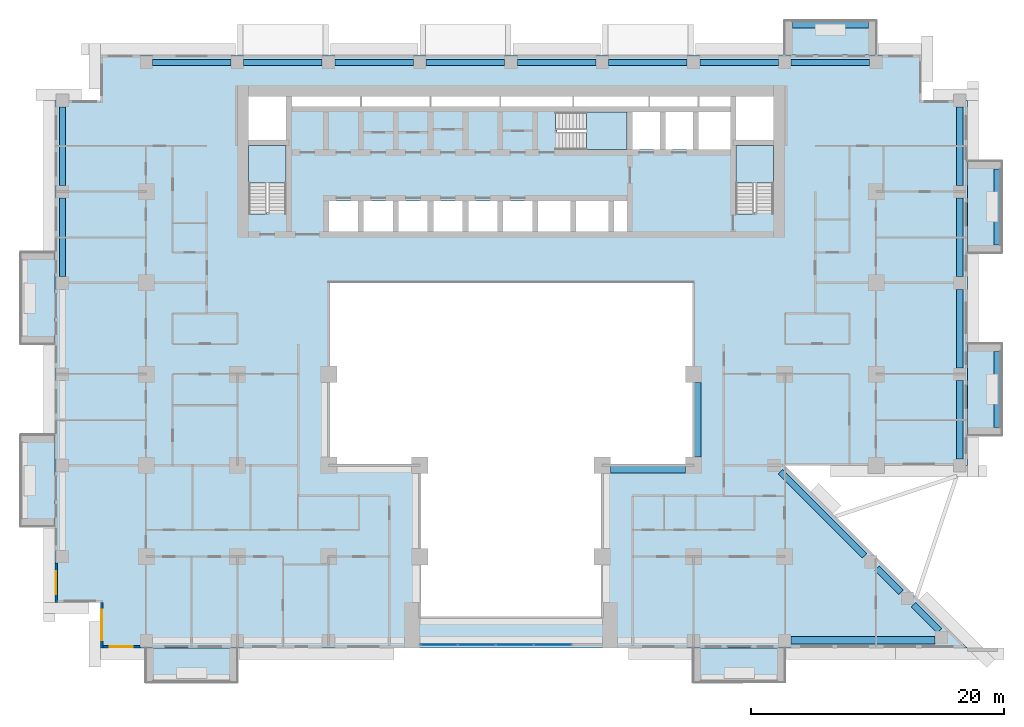
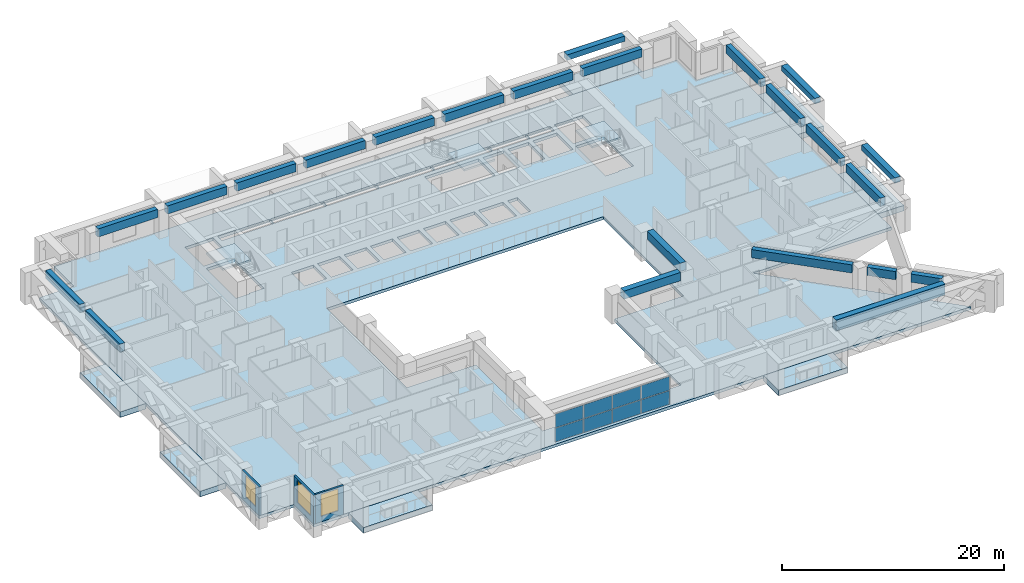
# One storey, part 5 of 16: 23 beams, 11 slabs, 8 plates, 3 walls, 3 windows, 3 openings, 4 elements without a shape of their own.
"""IFC4 building model written with IfcOpenShell, lengths in metres."""

from ifc_helpers import new_model, si_unit, direction, frame, frame_2d, origin, origin_2d, place, context, subcontext, project, spatial, polyline, rectangle, outline, extrude, source, transform, mapped, material, layer, layer_set, material_profile, profile_set, type_object, element, fill, aggregate, save


model = new_model("IFC4")

# Units and contexts
model_context = context("Model", 3, precision=1e-05, world=origin(), true_north=direction((0.0, 1.0)))
body_context = subcontext(model_context, "Body", "Model", "MODEL_VIEW")
ifc_project = project(units=[si_unit("LENGTHUNIT", "METRE"), si_unit("AREAUNIT", "SQUARE_METRE"), si_unit("VOLUMEUNIT", "CUBIC_METRE"), si_unit("PLANEANGLEUNIT", "RADIAN"), si_unit("MASSUNIT", "GRAM", prefix="KILO")], contexts=[model_context])

# Site, building, storey
site_placement = place(None, origin())
site = spatial("IfcSite", under=ifc_project, at=site_placement, CompositionType="ELEMENT")
building_placement = place(site_placement, origin())
building = spatial("IfcBuilding", under=site, at=building_placement, Name="Saffron Iwan Residences", CompositionType="ELEMENT")
storey_placement = place(building_placement, frame((0.0, 0.0, 65.5)))
storey = spatial("IfcBuildingStorey", under=building, at=storey_placement, Name="L16", CompositionType="ELEMENT", Elevation=65.5)

# Beams
ifc_material_1 = material(Name="Concrete C60/75", Category="concrete")
ifc_material_profile_1 = material_profile(ifc_material_1, rectangle(XDim=0.5, YDim=0.89990234375, at=origin_2d()), Name="RC 500x900")
ifc_profile_set_1 = profile_set([ifc_material_profile_1], Name="Concrete C60/75")
beam_type_1 = type_object("IfcBeamType", Name="SPANDREL BEAM RC 500x900 C60/75 TOP 3180", PredefinedType="SPANDREL", material=ifc_profile_set_1)
shared_shape_1 = source(origin(), body_context, "Body", "SweptSolid", [
    extrude(rectangle(XDim=0.5, YDim=0.89990234375, at=origin_2d()), origin(), (0.0, 0.0, 1.0), 6.199951171875),
])
for number, where, z_axis, x_axis, name in (
    (1, (85.800048828125, 54.699951171875, 2.72998046875), (0.0, -1.0, 0.0), (1.0, 0.0, 0.0), "Spandrel beam"),
    (2, (85.800048828125, 61.89990234375, 2.72998046875), (0.0, -1.0, 0.0), (1.0, 0.0, 0.0), "Spandrel beam"),
    (3, (15.0, 70.10009765625, 2.72998046875), (0.0, 1.0, 0.0), (-1.0, 0.0, 0.0), "Spandrel beam"),
    (4, (85.800048828125, 76.300048828125, 2.72998046875), (0.0, -1.0, 0.0), (1.0, 0.0, 0.0), "Spandrel beam"),
    (5, (22.10009765625, 79.800048828125, 2.72998046875), (1.0, 0.0, 0.0), (0.0, 1.0, 0.0), "Spandrel beam"),
    (6, (29.300048828125, 79.800048828125, 2.72998046875), (1.0, 0.0, 0.0), (0.0, 1.0, 0.0), "Spandrel beam"),
    (7, (36.5, 79.800048828125, 2.72998046875), (1.0, 0.0, 0.0), (0.0, 1.0, 0.0), "Spandrel beam"),
    (8, (43.699951171875, 79.800048828125, 2.72998046875), (1.0, 0.0, 0.0), (0.0, 1.0, 0.0), "Spandrel beam"),
    (9, (58.10009765625, 79.800048828125, 2.72998046875), (1.0, 0.0, 0.0), (0.0, 1.0, 0.0), "Spandrel beam"),
    (10, (65.300048828125, 79.800048828125, 2.72998046875), (1.0, 0.0, 0.0), (0.0, 1.0, 0.0), "Spandrel beam"),
    (11, (72.5, 79.800048828125, 2.72998046875), (1.0, 0.0, 0.0), (0.0, 1.0, 0.0), "Spandrel beam"),
):
    element("IfcBeam", number, at=place(storey_placement, frame(where, z_axis=z_axis, x_axis=x_axis)), inside=storey, type_object=beam_type_1, Name=name, PredefinedType="SPANDREL", context=body_context, shape_type="MappedRepresentation", body=[
        mapped(shared_shape_1, transform((0.0, 0.0, 0.0))),
    ])
shared_shape_2 = source(origin(), body_context, "Body", "SweptSolid", [
    extrude(rectangle(XDim=0.5, YDim=0.89990234375, at=origin_2d()), origin(), (0.0, 0.0, 1.0), 2.90478515625),
])
beam_1_placement = place(storey_placement, frame((82.15576171875, 36.995849609375, 2.72998046875), z_axis=(0.707106781187, -0.707106781187, 0.0), x_axis=(0.707106781187, 0.707106781187, 0.0)))
element("IfcBeam", 12, at=beam_1_placement, inside=storey, type_object=beam_type_1, Name="Spandrel beam", PredefinedType="SPANDREL", context=body_context, shape_type="MappedRepresentation", body=[
    mapped(shared_shape_2, transform((0.0, 0.0, 0.0))),
])
shared_shape_3 = source(origin(), body_context, "Body", "SweptSolid", [
    extrude(rectangle(XDim=0.5, YDim=0.89990234375, at=origin_2d()), origin(), (0.0, 0.0, 1.0), 2.658935546875),
])
beam_2_placement = place(storey_placement, frame((79.275634765625, 39.875732421875, 2.72998046875), z_axis=(0.707106781187, -0.707106781187, 0.0), x_axis=(0.707106781187, 0.707106781187, 0.0)))
element("IfcBeam", 13, at=beam_2_placement, inside=storey, type_object=beam_type_1, Name="Spandrel beam", PredefinedType="SPANDREL", context=body_context, shape_type="MappedRepresentation", body=[
    mapped(shared_shape_3, transform((0.0, 0.0, 0.0))),
])
shared_shape_4 = source(origin(), body_context, "Body", "SweptSolid", [
    extrude(rectangle(XDim=0.5, YDim=0.89990234375, at=origin_2d()), origin(), (0.0, 0.0, 1.0), 9.370361328125),
])
beam_3_placement = place(storey_placement, frame((71.64990234375, 47.50146484375, 2.72998046875), z_axis=(0.707119808329, -0.707093753804, 0.0), x_axis=(0.707093753804, 0.707119808329, 0.0)))
element("IfcBeam", 14, at=beam_3_placement, inside=storey, type_object=beam_type_1, Name="Spandrel beam", PredefinedType="SPANDREL", context=body_context, shape_type="MappedRepresentation", body=[
    mapped(shared_shape_4, transform((0.0, 0.0, 0.0))),
])
shared_shape_5 = source(origin(), body_context, "Body", "SweptSolid", [
    extrude(rectangle(XDim=0.5, YDim=0.89990234375, at=origin_2d()), origin(), (0.0, 0.0, 1.0), 6.2001953125),
])
for number, where, z_axis, x_axis, name in (
    (15, (15.0, 62.89990234375, 2.72998046875), (0.0, 1.0, 0.0), (-1.0, 0.0, 0.0), "Spandrel beam"),
    (16, (85.800048828125, 69.10009765625, 2.72998046875), (0.0, -1.0, 0.0), (1.0, 0.0, 0.0), "Spandrel beam"),
    (17, (50.89990234375, 79.800048828125, 2.72998046875), (1.0, 0.0, 0.0), (0.0, 1.0, 0.0), "Spandrel beam"),
):
    element("IfcBeam", number, at=place(storey_placement, frame(where, z_axis=z_axis, x_axis=x_axis)), inside=storey, type_object=beam_type_1, Name=name, PredefinedType="SPANDREL", context=body_context, shape_type="MappedRepresentation", body=[
        mapped(shared_shape_5, transform((0.0, 0.0, 0.0))),
    ])
ifc_material_profile_2 = material_profile(ifc_material_1, rectangle(XDim=0.60009765625, YDim=1.199951171875, at=origin_2d()), Name="RC 600x1200")
ifc_profile_set_2 = profile_set([ifc_material_profile_2], Name="Concrete C60/75")
beam_type_2 = type_object("IfcBeamType", Name="LINTEL BEAM RC 600x1200 C60/75 TOP 3180", PredefinedType="LINTEL", material=ifc_profile_set_2)
shared_shape_6 = source(origin(), body_context, "Body", "SweptSolid", [
    extrude(rectangle(XDim=0.60009765625, YDim=1.199951171875, at=origin_2d()), origin(), (0.0, 0.0, 1.0), 11.367431640625),
])
beam_4_placement = place(storey_placement, frame((83.867431640625, 34.199951171875, 2.580078125), z_axis=(-1.0, 0.0, 0.0), x_axis=(0.0, -1.0, 0.0)))
element("IfcBeam", 18, at=beam_4_placement, inside=storey, type_object=beam_type_2, Name="Lintel beam over the iwan", PredefinedType="LINTEL", context=body_context, shape_type="MappedRepresentation", body=[
    mapped(shared_shape_6, transform((0.0, 0.0, 0.0))),
])
ifc_material_profile_3 = material_profile(ifc_material_1, rectangle(XDim=0.60009765625, YDim=0.89990234375, at=origin_2d()), Name="RC 600x900")
ifc_profile_set_3 = profile_set([ifc_material_profile_3], Name="Concrete C60/75")
beam_type_3 = type_object("IfcBeamType", Name="BEAM RC 600x900 C60/75 TOP 3180", PredefinedType="BEAM", material=ifc_profile_set_3)
shared_shape_7 = source(origin(), body_context, "Body", "SweptSolid", [
    extrude(rectangle(XDim=0.60009765625, YDim=0.89990234375, at=origin_2d()), origin(), (0.0, 0.0, 1.0), 5.900146484375),
])
beam_5_placement = place(storey_placement, frame((65.10009765625, 54.550048828125, 2.72998046875), z_axis=(0.0, -1.0, 0.0), x_axis=(1.0, 0.0, 0.0)))
element("IfcBeam", 19, at=beam_5_placement, inside=storey, type_object=beam_type_3, Name="Atrium edge beam", PredefinedType="BEAM", context=body_context, shape_type="MappedRepresentation", body=[
    mapped(shared_shape_7, transform((0.0, 0.0, 0.0))),
])
shared_shape_8 = source(origin(), body_context, "Body", "SweptSolid", [
    extrude(rectangle(XDim=0.60009765625, YDim=0.89990234375, at=origin_2d()), origin(), (0.0, 0.0, 1.0), 5.89990234375),
])
beam_6_placement = place(storey_placement, frame((64.14990234375, 47.699951171875, 2.72998046875), z_axis=(-1.0, 0.0, 0.0), x_axis=(0.0, -1.0, 0.0)))
element("IfcBeam", 20, at=beam_6_placement, inside=storey, type_object=beam_type_3, Name="Atrium edge beam", PredefinedType="BEAM", context=body_context, shape_type="MappedRepresentation", body=[
    mapped(shared_shape_8, transform((0.0, 0.0, 0.0))),
])
ifc_material_2 = material(Name="Concrete C50/60 white painted", Category="concrete")
ifc_material_profile_4 = material_profile(ifc_material_2, rectangle(XDim=0.60009765625, YDim=0.60009765625, at=origin_2d()), Name="BALCONY FASCIA BEAM 600 x 600")
ifc_profile_set_4 = profile_set([ifc_material_profile_4], Name="Concrete C50/60 white painted")
beam_type_4 = type_object("IfcBeamType", Name="BALCONY FASCIA BEAM 600 x 600", PredefinedType="BEAM", material=ifc_profile_set_4)
shared_shape_9 = source(origin(), body_context, "Body", "SweptSolid", [
    extrude(rectangle(XDim=0.60009765625, YDim=0.60009765625, at=origin_2d()), origin(), (0.0, 0.0, 1.0), 6.0),
])
for number, where, z_axis, x_axis, name in (
    (21, (88.800048828125, 51.0, 2.550048828125), (0.0, 1.0, 0.0), (-1.0, 0.0, 0.0), "Balcony fascia beam L16 F2-0"),
    (22, (88.800048828125, 65.39990234375, 2.550048828125), (0.0, 1.0, 0.0), (-1.0, 0.0, 0.0), "Balcony fascia beam L16 F2-1"),
    (23, (78.60009765625, 82.800048828125, 2.550048828125), (-1.0, 0.0, 0.0), (0.0, -1.0, 0.0), "Balcony fascia beam L16 F5-0"),
):
    element("IfcBeam", number, at=place(storey_placement, frame(where, z_axis=z_axis, x_axis=x_axis)), inside=storey, type_object=beam_type_4, Name=name, PredefinedType="BEAM", context=body_context, shape_type="MappedRepresentation", body=[
        mapped(shared_shape_9, transform((0.0, 0.0, 0.0))),
    ])

# Slabs
ifc_layer_1 = layer(ifc_material_2, 0.60009765625)
ifc_layer_set_1 = layer_set([ifc_layer_1], Name="Concrete C50/60 white painted")
slab_type_1 = type_object("IfcSlabType", Name="BALCONY FRAME SLAB 600", PredefinedType="FLOOR", material=ifc_layer_set_1)
slab_1_placement = place(storey_placement, frame((0.0, 0.0, -0.60009765625)))
element("IfcSlab", 24, at=slab_1_placement, inside=storey, type_object=slab_type_1, Name="Balcony frame slab L16 F2-0", PredefinedType="FLOOR", context=body_context, shape_type="SweptSolid", body=[
    extrude(outline(polyline([(89.10009765625, 50.39990234375), (89.10009765625, 57.60009765625), (86.39990234375, 57.60009765625), (86.39990234375, 50.39990234375), (89.10009765625, 50.39990234375)])), origin(), (0.0, 0.0, 1.0), 0.60009765625),
])
slab_2_placement = place(storey_placement, frame((0.0, 0.0, -0.60009765625)))
element("IfcSlab", 25, at=slab_2_placement, inside=storey, type_object=slab_type_1, Name="Balcony frame slab L16 F2-1", PredefinedType="FLOOR", context=body_context, shape_type="SweptSolid", body=[
    extrude(outline(polyline([(89.10009765625, 64.800048828125), (89.10009765625, 72.0), (86.39990234375, 72.0), (86.39990234375, 64.800048828125), (89.10009765625, 64.800048828125)])), origin(), (0.0, 0.0, 1.0), 0.60009765625),
])
slab_3_placement = place(storey_placement, frame((0.0, 0.0, -0.60009765625)))
element("IfcSlab", 26, at=slab_3_placement, inside=storey, type_object=slab_type_1, Name="Balcony frame slab L16 F5-0", PredefinedType="FLOOR", context=body_context, shape_type="SweptSolid", body=[
    extrude(outline(polyline([(79.199951171875, 83.10009765625), (72.0, 83.10009765625), (72.0, 80.39990234375), (79.199951171875, 80.39990234375), (79.199951171875, 83.10009765625)])), origin(), (0.0, 0.0, 1.0), 0.60009765625),
])
slab_4_placement = place(storey_placement, frame((0.0, 0.0, -0.60009765625)))
element("IfcSlab", 27, at=slab_4_placement, inside=storey, type_object=slab_type_1, Name="Balcony frame slab L16 F8-0", PredefinedType="FLOOR", context=body_context, shape_type="SweptSolid", body=[
    extrude(outline(polyline([(11.699951171875, 64.800048828125), (11.699951171875, 57.60009765625), (14.39990234375, 57.60009765625), (14.39990234375, 64.800048828125), (11.699951171875, 64.800048828125)])), origin(), (0.0, 0.0, 1.0), 0.60009765625),
])
slab_5_placement = place(storey_placement, frame((0.0, 0.0, -0.60009765625)))
element("IfcSlab", 28, at=slab_5_placement, inside=storey, type_object=slab_type_1, Name="Balcony frame slab L16 F8-1", PredefinedType="FLOOR", context=body_context, shape_type="SweptSolid", body=[
    extrude(outline(polyline([(11.699951171875, 50.39990234375), (11.699951171875, 43.199951171875), (14.39990234375, 43.199951171875), (14.39990234375, 50.39990234375), (11.699951171875, 50.39990234375)])), origin(), (0.0, 0.0, 1.0), 0.60009765625),
])
slab_6_placement = place(storey_placement, frame((0.0, 0.0, -0.60009765625)))
element("IfcSlab", 29, at=slab_6_placement, inside=storey, type_object=slab_type_1, Name="Balcony frame slab L16 11-0", PredefinedType="FLOOR", context=body_context, shape_type="SweptSolid", body=[
    extrude(outline(polyline([(21.60009765625, 30.89990234375), (28.800048828125, 30.89990234375), (28.800048828125, 33.60009765625), (21.60009765625, 33.60009765625), (21.60009765625, 30.89990234375)])), origin(), (0.0, 0.0, 1.0), 0.60009765625),
])
slab_7_placement = place(storey_placement, frame((0.0, 0.0, -0.60009765625)))
element("IfcSlab", 30, at=slab_7_placement, inside=storey, type_object=slab_type_1, Name="Balcony frame slab L16 11-1", PredefinedType="FLOOR", context=body_context, shape_type="SweptSolid", body=[
    extrude(outline(polyline([(64.800048828125, 30.89990234375), (72.0, 30.89990234375), (72.0, 33.60009765625), (64.800048828125, 33.60009765625), (64.800048828125, 30.89990234375)])), origin(), (0.0, 0.0, 1.0), 0.60009765625),
])
ifc_material_3 = material(Name="Concrete C40/50", Category="concrete")
ifc_layer_2 = layer(ifc_material_3, 0.320068359375)
ifc_layer_set_2 = layer_set([ifc_layer_2], Name="Concrete C40/50")
slab_type_2 = type_object("IfcSlabType", Name="PT PLATE 320 C40/50", PredefinedType="FLOOR", material=ifc_layer_set_2)
slab_8_placement = place(storey_placement, frame((0.0, 0.0, -0.320068359375)))
element("IfcSlab", 31, at=slab_8_placement, inside=storey, type_object=slab_type_2, Name="Floor slab L16", PredefinedType="FLOOR", context=body_context, shape_type="SweptSolid", body=[
    extrude(outline(polyline([(14.39990234375, 37.199951171875), (14.39990234375, 76.800048828125), (18.0, 76.800048828125), (18.0, 80.39990234375), (82.800048828125, 80.39990234375), (82.800048828125, 76.800048828125), (86.39990234375, 76.800048828125), (86.39990234375, 48.0), (72.0, 48.0), (86.39990234375, 33.60009765625), (18.0, 33.60009765625), (18.0, 37.199951171875), (14.39990234375, 37.199951171875)]), holes=[polyline([(64.800048828125, 48.0), (64.800048828125, 62.39990234375), (36.0, 62.39990234375), (36.0, 48.0), (43.199951171875, 48.0), (43.199951171875, 36.0), (57.60009765625, 36.0), (57.60009765625, 48.0), (64.800048828125, 48.0)]), polyline([(38.324951171875, 68.875), (36.02490234375, 68.875), (36.02490234375, 66.449951171875), (38.324951171875, 66.449951171875), (38.324951171875, 68.875)]), polyline([(41.074951171875, 66.449951171875), (41.074951171875, 68.875), (38.77490234375, 68.875), (38.77490234375, 66.449951171875), (41.074951171875, 66.449951171875)]), polyline([(43.824951171875, 66.449951171875), (43.824951171875, 68.875), (41.52490234375, 68.875), (41.52490234375, 66.449951171875), (43.824951171875, 66.449951171875)]), polyline([(46.574951171875, 68.875), (44.27490234375, 68.875), (44.27490234375, 66.449951171875), (46.574951171875, 66.449951171875), (46.574951171875, 68.875)]), polyline([(49.324951171875, 66.449951171875), (49.324951171875, 68.875), (47.02490234375, 68.875), (47.02490234375, 66.449951171875), (49.324951171875, 66.449951171875)]), polyline([(52.074951171875, 66.449951171875), (52.074951171875, 68.875), (49.77490234375, 68.875), (49.77490234375, 66.449951171875), (52.074951171875, 66.449951171875)]), polyline([(29.699951171875, 73.25), (29.699951171875, 67.949951171875), (29.699951171875, 67.8505859375), (31.10009765625, 67.8505859375), (31.10009765625, 67.949951171875), (32.64990234375, 67.949951171875), (32.64990234375, 73.25), (29.699951171875, 73.25)]), polyline([(32.64990234375, 73.699951171875), (32.64990234375, 77.10009765625), (29.699951171875, 77.10009765625), (29.699951171875, 73.699951171875), (32.64990234375, 73.699951171875)]), polyline([(38.5, 76.324951171875), (38.5, 77.10009765625), (33.10009765625, 77.10009765625), (33.10009765625, 76.324951171875), (38.5, 76.324951171875)]), polyline([(44.0, 77.10009765625), (38.60009765625, 77.10009765625), (38.60009765625, 76.324951171875), (44.0, 76.324951171875), (44.0, 77.10009765625)]), polyline([(49.5, 76.324951171875), (49.5, 77.10009765625), (44.10009765625, 77.10009765625), (44.10009765625, 76.324951171875), (49.5, 76.324951171875)]), polyline([(55.25, 76.324951171875), (55.25, 77.10009765625), (49.60009765625, 77.10009765625), (49.60009765625, 76.324951171875), (55.25, 76.324951171875)]), polyline([(55.074951171875, 68.875), (52.52490234375, 68.875), (52.52490234375, 66.449951171875), (55.074951171875, 66.449951171875), (55.074951171875, 68.875)]), polyline([(58.074951171875, 66.449951171875), (58.074951171875, 68.875), (55.52490234375, 68.875), (55.52490234375, 66.449951171875), (58.074951171875, 66.449951171875)]), polyline([(59.550048828125, 66.449951171875), (59.550048828125, 68.875), (58.52490234375, 68.875), (58.52490234375, 66.449951171875), (59.550048828125, 66.449951171875)]), polyline([(68.14990234375, 73.25), (68.14990234375, 67.949951171875), (68.14990234375, 67.8505859375), (69.550048828125, 67.8505859375), (69.550048828125, 67.949951171875), (71.10009765625, 67.949951171875), (71.10009765625, 73.25), (68.14990234375, 73.25)]), polyline([(53.925537109375, 74.47509765625), (54.02490234375, 74.47509765625), (54.02490234375, 72.925048828125), (59.550048828125, 72.925048828125), (59.550048828125, 75.875), (54.02490234375, 75.875), (53.925537109375, 75.875), (53.925537109375, 74.47509765625)]), polyline([(62.14990234375, 72.925048828125), (62.14990234375, 75.875), (60.0, 75.875), (60.0, 72.925048828125), (62.14990234375, 72.925048828125)]), polyline([(64.75, 75.875), (62.60009765625, 75.875), (62.60009765625, 72.925048828125), (64.75, 72.925048828125), (64.75, 75.875)]), polyline([(67.699951171875, 72.925048828125), (67.699951171875, 75.875), (65.199951171875, 75.875), (65.199951171875, 72.925048828125), (67.699951171875, 72.925048828125)]), polyline([(71.10009765625, 73.699951171875), (71.10009765625, 77.10009765625), (68.14990234375, 77.10009765625), (68.14990234375, 73.699951171875), (71.10009765625, 73.699951171875)]), polyline([(61.25, 77.10009765625), (55.35009765625, 77.10009765625), (55.35009765625, 76.324951171875), (61.25, 76.324951171875), (61.25, 77.10009765625)]), polyline([(65.14990234375, 76.324951171875), (65.14990234375, 77.10009765625), (61.35009765625, 77.10009765625), (61.35009765625, 76.324951171875), (65.14990234375, 76.324951171875)]), polyline([(67.699951171875, 76.324951171875), (67.699951171875, 77.10009765625), (65.25, 77.10009765625), (65.25, 76.324951171875), (67.699951171875, 76.324951171875)])]), origin(), (0.0, 0.0, 1.0), 0.320068359375),
])

# Stair, slab
ifc_material_4 = material(Name="Concrete C50/60", Category="concrete")
stair_type = type_object("IfcStairType", Name="Stair ST-CORE", PredefinedType="HALF_TURN_STAIR", material=ifc_material_4)
stair_1_placement = place(storey_placement, origin())
stair_1 = element("IfcStair", 32, at=stair_1_placement, inside=storey, type_object=stair_type, Name="L16 Exit Stair ST-W", PredefinedType="HALF_TURN_STAIR")
ifc_layer_3 = layer(ifc_material_4, 0.199951171875)
ifc_layer_set_3 = layer_set([ifc_layer_3], Name="Concrete C50/60")
slab_type_3 = type_object("IfcSlabType", Name="Stair landing SL-RC", PredefinedType="LANDING", material=ifc_layer_set_3)
slab_9_placement = place(storey_placement, frame((0.0, 0.0, 1.5498046875)))
slab_9 = element("IfcSlab", 33, at=slab_9_placement, type_object=slab_type_3, Name="ST-W landing 1", PredefinedType="LANDING", context=body_context, shape_type="SweptSolid", body=[
    extrude(outline(polyline([(32.64990234375, 70.280029296875), (32.64990234375, 73.25), (29.699951171875, 73.25), (29.699951171875, 70.280029296875), (32.64990234375, 70.280029296875)])), origin(), (0.0, 0.0, 1.0), 0.2001953125),
])
aggregate(stair_1, [slab_9])

stair_2_placement = place(storey_placement, origin())
stair_2 = element("IfcStair", 34, at=stair_2_placement, inside=storey, type_object=stair_type, Name="L16 Exit Stair ST-C", PredefinedType="HALF_TURN_STAIR")
slab_10_placement = place(storey_placement, frame((0.0, 0.0, 1.5498046875)))
slab_10 = element("IfcSlab", 35, at=slab_10_placement, type_object=slab_type_3, Name="ST-C landing 1", PredefinedType="LANDING", context=body_context, shape_type="SweptSolid", body=[
    extrude(outline(polyline([(56.35498046875, 72.925048828125), (59.550048828125, 72.925048828125), (59.550048828125, 75.875), (56.35498046875, 75.875), (56.35498046875, 72.925048828125)])), origin(), (0.0, 0.0, 1.0), 0.2001953125),
])
aggregate(stair_2, [slab_10])

stair_3_placement = place(storey_placement, origin())
stair_3 = element("IfcStair", 36, at=stair_3_placement, inside=storey, type_object=stair_type, Name="L16 Exit Stair ST-E", PredefinedType="HALF_TURN_STAIR")
slab_11_placement = place(storey_placement, frame((0.0, 0.0, 1.5498046875)))
slab_11 = element("IfcSlab", 37, at=slab_11_placement, type_object=slab_type_3, Name="ST-E landing 1", PredefinedType="LANDING", context=body_context, shape_type="SweptSolid", body=[
    extrude(outline(polyline([(71.10009765625, 70.280029296875), (71.10009765625, 73.25), (68.14990234375, 73.25), (68.14990234375, 70.280029296875), (71.10009765625, 70.280029296875)])), origin(), (0.0, 0.0, 1.0), 0.2001953125),
])
aggregate(stair_3, [slab_11])

# Curtain wall, plates
ifc_material_5 = material(Name="Clear glass, laminated double glazed", Category="glass")
ifc_layer_4 = layer(ifc_material_5, 0.199951171875)
ifc_layer_set_4 = layer_set([ifc_layer_4], Name="Clear glass, laminated double glazed")
curtain_wall_type = type_object("IfcCurtainWallType", Name="CW-B IWAN PORTAL", PredefinedType="NOTDEFINED", material=ifc_layer_set_4)
curtain_wall_placement = place(storey_placement, origin())
curtain_wall = element("IfcCurtainWall", 38, at=curtain_wall_placement, inside=storey, type_object=curtain_wall_type, Name="Iwan portal glazing L16.1", PredefinedType="NOTDEFINED")
ifc_layer_5 = layer(ifc_material_5, 0.028076171875)
ifc_layer_set_5 = layer_set([ifc_layer_5], Name="Clear glass, laminated double glazed")
plate_type = type_object("IfcPlateType", Name="CW-B PANEL 28", PredefinedType="CURTAIN_PANEL", material=ifc_layer_set_5)
shared_shape_10 = source(origin(), body_context, "Body", "SweptSolid", [
    extrude(rectangle(XDim=2.909912109375, YDim=0.028076171875, at=origin_2d()), origin(), (0.0, 0.0, 1.0), 1.5),
])
plate_1_placement = place(storey_placement, frame((44.715087890625, 33.85009765625, 0.06005859375), z_axis=(0.0, 0.0, 1.0), x_axis=(1.0, 0.0, 0.0)))
plate_1 = element("IfcPlate", 39, at=plate_1_placement, type_object=plate_type, Name="CW-B panel 1.1", PredefinedType="CURTAIN_PANEL", context=body_context, shape_type="MappedRepresentation", body=[
    mapped(shared_shape_10, transform((0.0, 0.0, 0.0))),
])
plate_2_placement = place(storey_placement, frame((44.715087890625, 33.85009765625, 1.6201171875), z_axis=(0.0, 0.0, 1.0), x_axis=(1.0, 0.0, 0.0)))
plate_2 = element("IfcPlate", 40, at=plate_2_placement, type_object=plate_type, Name="CW-B panel 1.2", PredefinedType="CURTAIN_PANEL", context=body_context, shape_type="MappedRepresentation", body=[
    mapped(shared_shape_10, transform((0.0, 0.0, 0.0))),
])
plate_3_placement = place(storey_placement, frame((53.68505859375, 33.85009765625, 0.06005859375), z_axis=(0.0, 0.0, 1.0), x_axis=(1.0, 0.0, 0.0)))
plate_3 = element("IfcPlate", 41, at=plate_3_placement, type_object=plate_type, Name="CW-B panel 4.1", PredefinedType="CURTAIN_PANEL", context=body_context, shape_type="MappedRepresentation", body=[
    mapped(shared_shape_10, transform((0.0, 0.0, 0.0))),
])
plate_4_placement = place(storey_placement, frame((53.68505859375, 33.85009765625, 1.6201171875), z_axis=(0.0, 0.0, 1.0), x_axis=(1.0, 0.0, 0.0)))
plate_4 = element("IfcPlate", 42, at=plate_4_placement, type_object=plate_type, Name="CW-B panel 4.2", PredefinedType="CURTAIN_PANEL", context=body_context, shape_type="MappedRepresentation", body=[
    mapped(shared_shape_10, transform((0.0, 0.0, 0.0))),
])
shared_shape_11 = source(origin(), body_context, "Body", "SweptSolid", [
    extrude(rectangle(XDim=2.93994140625, YDim=0.028076171875, at=origin_2d()), origin(), (0.0, 0.0, 1.0), 1.5),
])
plate_5_placement = place(storey_placement, frame((47.699951171875, 33.85009765625, 0.06005859375), z_axis=(0.0, 0.0, 1.0), x_axis=(1.0, 0.0, 0.0)))
plate_5 = element("IfcPlate", 43, at=plate_5_placement, type_object=plate_type, Name="CW-B panel 2.1", PredefinedType="CURTAIN_PANEL", context=body_context, shape_type="MappedRepresentation", body=[
    mapped(shared_shape_11, transform((0.0, 0.0, 0.0))),
])
plate_6_placement = place(storey_placement, frame((47.699951171875, 33.85009765625, 1.6201171875), z_axis=(0.0, 0.0, 1.0), x_axis=(1.0, 0.0, 0.0)))
plate_6 = element("IfcPlate", 44, at=plate_6_placement, type_object=plate_type, Name="CW-B panel 2.2", PredefinedType="CURTAIN_PANEL", context=body_context, shape_type="MappedRepresentation", body=[
    mapped(shared_shape_11, transform((0.0, 0.0, 0.0))),
])
plate_7_placement = place(storey_placement, frame((50.699951171875, 33.85009765625, 0.06005859375), z_axis=(0.0, 0.0, 1.0), x_axis=(1.0, 0.0, 0.0)))
plate_7 = element("IfcPlate", 45, at=plate_7_placement, type_object=plate_type, Name="CW-B panel 3.1", PredefinedType="CURTAIN_PANEL", context=body_context, shape_type="MappedRepresentation", body=[
    mapped(shared_shape_11, transform((0.0, 0.0, 0.0))),
])
plate_8_placement = place(storey_placement, frame((50.699951171875, 33.85009765625, 1.6201171875), z_axis=(0.0, 0.0, 1.0), x_axis=(1.0, 0.0, 0.0)))
plate_8 = element("IfcPlate", 46, at=plate_8_placement, type_object=plate_type, Name="CW-B panel 3.2", PredefinedType="CURTAIN_PANEL", context=body_context, shape_type="MappedRepresentation", body=[
    mapped(shared_shape_11, transform((0.0, 0.0, 0.0))),
])
aggregate(curtain_wall, [plate_1, plate_2, plate_5, plate_6, plate_7, plate_8, plate_3, plate_4])

# Wall, opening, window
ifc_layer_6 = layer(ifc_material_3, 0.199951171875)
ifc_layer_set_6 = layer_set([ifc_layer_6], Name="Concrete C40/50")
wall_type = type_object("IfcWallType", Name="EXTERNAL WALL 200", PredefinedType="SOLIDWALL", material=ifc_layer_set_6)
wall_1_placement = place(storey_placement, frame((14.5, 40.300048828125, 0.0), z_axis=(0.0, 0.0, 1.0), x_axis=(0.0, -1.0, 0.0)))
wall_1 = element("IfcWall", 47, at=wall_1_placement, inside=storey, type_object=wall_type, Name="External wall L16 F8.5", PredefinedType="SOLIDWALL", context=body_context, shape_type="SweptSolid", body=[
    extrude(rectangle(XDim=3.10009765625, YDim=0.199951171875, at=frame_2d((1.550048828125, 0.0))), origin(), (0.0, 0.0, 1.0), 3.179931640625),
])
opening_1_placement = place(wall_1_placement, frame((0.64990234375, 0.0, 0.60009765625)))
opening_1 = element("IfcOpeningElement", 48, at=opening_1_placement, cuts=wall_1, Name="Opening W8", PredefinedType="OPENING", context=body_context, shape_type="SweptSolid", body=[
    extrude(rectangle(XDim=1.800048828125, YDim=2.39990234375, at=frame_2d((0.89990234375, 1.199951171875))), frame((0.0, 0.10986328125, 0.0), z_axis=(0.0, -1.0, 0.0), x_axis=(1.0, 0.0, 0.0)), (0.0, 0.0, 1.0), 0.219970703125),
])
window_type_1 = type_object("IfcWindowType", Name="WINDOW 1800 x 2400", PartitioningType="DOUBLE_PANEL_VERTICAL", PredefinedType="WINDOW", material=ifc_material_5)
window_1_placement = place(opening_1_placement, origin())
window_1 = element("IfcWindow", 49, at=window_1_placement, inside=storey, type_object=window_type_1, Name="Window L16 F8.0", OverallHeight=2.39990234375, OverallWidth=1.800048828125, PartitioningType="DOUBLE_PANEL_VERTICAL", PredefinedType="WINDOW", context=body_context, shape_type="SweptSolid", body=[
    extrude(rectangle(XDim=1.800048828125, YDim=2.39990234375, at=frame_2d((0.89990234375, 1.199951171875))), frame((0.0, 0.030029296875, 0.0), z_axis=(0.0, -1.0, 0.0), x_axis=(1.0, 0.0, 0.0)), (0.0, 0.0, 1.0), 0.06005859375),
])
fill(opening_1, window_1)

wall_2_placement = place(storey_placement, frame((18.10009765625, 37.199951171875, 0.0), z_axis=(0.0, 0.0, 1.0), x_axis=(0.0, -1.0, 0.0)))
wall_2 = element("IfcWall", 50, at=wall_2_placement, inside=storey, type_object=wall_type, Name="External wall L16 F10.0", PredefinedType="SOLIDWALL", context=body_context, shape_type="SweptSolid", body=[
    extrude(rectangle(XDim=3.599853515625, YDim=0.199951171875, at=frame_2d((1.7998046875, 0.0))), origin(), (0.0, 0.0, 1.0), 3.179931640625),
])
opening_2_placement = place(wall_2_placement, frame((0.60009765625, 0.0, 0.60009765625)))
opening_2 = element("IfcOpeningElement", 51, at=opening_2_placement, cuts=wall_2, Name="Opening W1", PredefinedType="OPENING", context=body_context, shape_type="SweptSolid", body=[
    extrude(rectangle(XDim=2.39990234375, YDim=2.39990234375, at=frame_2d((1.199951171875, 1.199951171875))), frame((0.0, 0.10986328125, 0.0), z_axis=(0.0, -1.0, 0.0), x_axis=(1.0, 0.0, 0.0)), (0.0, 0.0, 1.0), 0.219970703125),
])
window_type_2 = type_object("IfcWindowType", Name="WINDOW 2400 x 2400", PartitioningType="DOUBLE_PANEL_VERTICAL", PredefinedType="WINDOW", material=ifc_material_5)
window_2_placement = place(opening_2_placement, origin())
window_2 = element("IfcWindow", 52, at=window_2_placement, inside=storey, type_object=window_type_2, Name="Window L16 F10.0", OverallHeight=2.39990234375, OverallWidth=2.39990234375, PartitioningType="DOUBLE_PANEL_VERTICAL", PredefinedType="WINDOW", context=body_context, shape_type="SweptSolid", body=[
    extrude(rectangle(XDim=2.39990234375, YDim=2.39990234375, at=frame_2d((1.199951171875, 1.199951171875))), frame((0.0, 0.030029296875, 0.0), z_axis=(0.0, -1.0, 0.0), x_axis=(1.0, 0.0, 0.0)), (0.0, 0.0, 1.0), 0.06005859375),
])
fill(opening_2, window_2)

wall_3_placement = place(storey_placement, frame((18.199951171875, 33.699951171875, 0.0), z_axis=(0.0, 0.0, 1.0), x_axis=(1.0, 0.0, 0.0)))
wall_3 = element("IfcWall", 53, at=wall_3_placement, inside=storey, type_object=wall_type, Name="External wall L16 F11.0", PredefinedType="SOLIDWALL", context=body_context, shape_type="SweptSolid", body=[
    extrude(rectangle(XDim=2.900146484375, YDim=0.199951171875, at=frame_2d((1.4501953125, 0.0))), origin(), (0.0, 0.0, 1.0), 3.179931640625),
])
opening_3_placement = place(wall_3_placement, frame((0.550048828125, 0.0, 0.60009765625)))
opening_3 = element("IfcOpeningElement", 54, at=opening_3_placement, cuts=wall_3, Name="Opening W8", PredefinedType="OPENING", context=body_context, shape_type="SweptSolid", body=[
    extrude(rectangle(XDim=1.800048828125, YDim=2.39990234375, at=frame_2d((0.89990234375, 1.199951171875))), frame((0.0, 0.10986328125, 0.0), z_axis=(0.0, -1.0, 0.0), x_axis=(1.0, 0.0, 0.0)), (0.0, 0.0, 1.0), 0.219970703125),
])
window_3_placement = place(opening_3_placement, origin())
window_3 = element("IfcWindow", 55, at=window_3_placement, inside=storey, type_object=window_type_1, Name="Window L16 F11.0", OverallHeight=2.39990234375, OverallWidth=1.800048828125, PartitioningType="DOUBLE_PANEL_VERTICAL", PredefinedType="WINDOW", context=body_context, shape_type="SweptSolid", body=[
    extrude(rectangle(XDim=1.800048828125, YDim=2.39990234375, at=frame_2d((0.89990234375, 1.199951171875))), frame((0.0, 0.030029296875, 0.0), z_axis=(0.0, -1.0, 0.0), x_axis=(1.0, 0.0, 0.0)), (0.0, 0.0, 1.0), 0.06005859375),
])
fill(opening_3, window_3)

save(model, "model.ifc")
